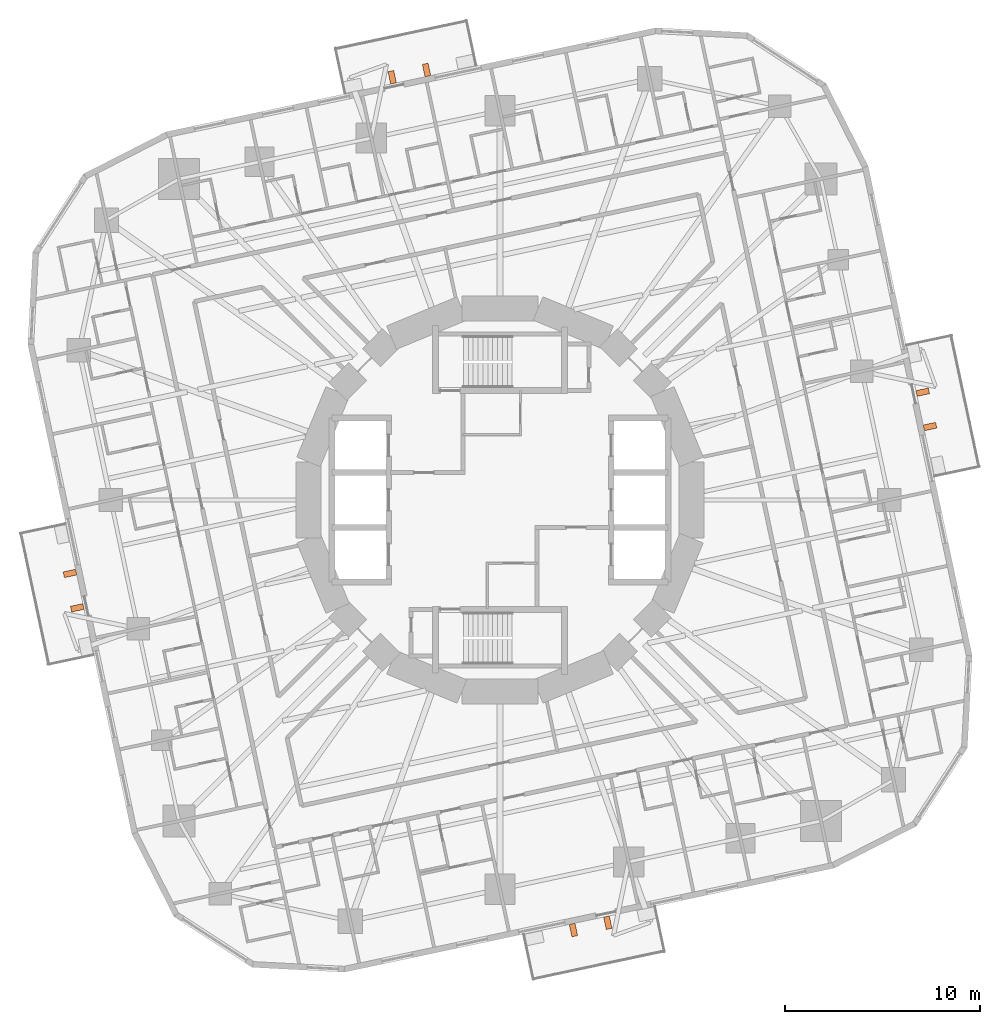
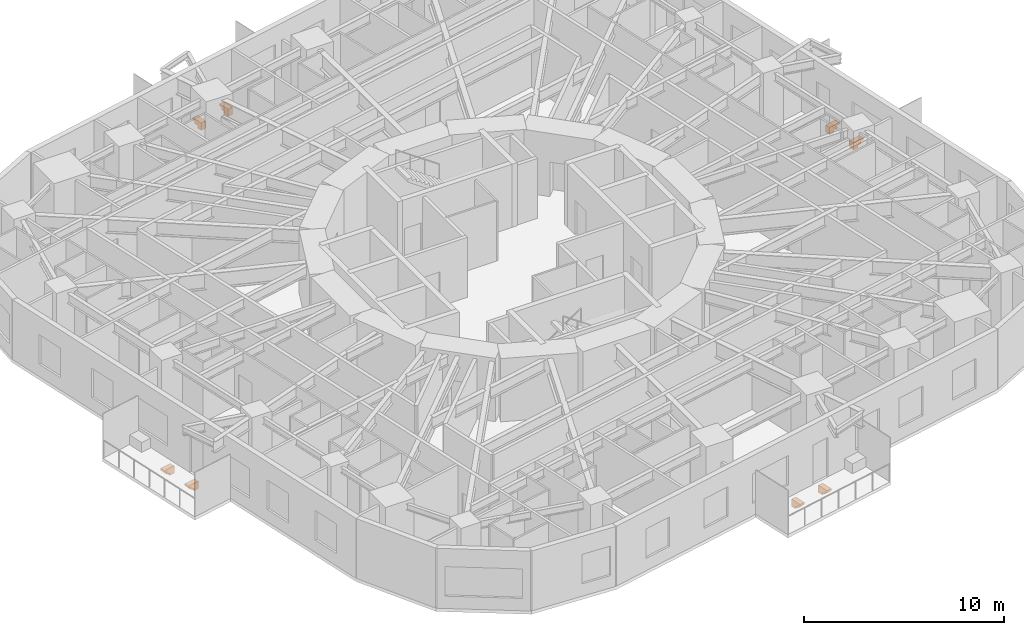
# One storey, part 14 of 14: 8 proxies.
"""IFC4 building model written with IfcOpenShell, lengths in metres."""

from ifc_helpers import new_model, si_unit, direction, frame, origin, place, context, subcontext, project, spatial, polyline, outline, extrude, material, type_object, element, save


model = new_model("IFC4")

# Units and contexts
model_context = context("Model", 3, precision=1e-05, world=origin(), true_north=direction((0.0, 1.0)))
body_context = subcontext(model_context, "Body", "Model", "MODEL_VIEW")
ifc_project = project(units=[si_unit("LENGTHUNIT", "METRE"), si_unit("AREAUNIT", "SQUARE_METRE"), si_unit("VOLUMEUNIT", "CUBIC_METRE"), si_unit("PLANEANGLEUNIT", "RADIAN"), si_unit("MASSUNIT", "GRAM", prefix="KILO")], contexts=[model_context])

# Site, building, storey
site_placement = place(None, origin())
site = spatial("IfcSite", under=ifc_project, at=site_placement, CompositionType="ELEMENT")
building_placement = place(site_placement, origin())
building = spatial("IfcBuilding", under=site, at=building_placement, Name="Nakasero Lantern House", CompositionType="ELEMENT")
storey_placement = place(building_placement, frame((0.0, 0.0, 108.85009765625)))
storey = spatial("IfcBuildingStorey", under=building, at=storey_placement, Name="L26", CompositionType="ELEMENT", Elevation=108.85009765625)

# Proxies
ifc_material = material(Name="Concrete C40/50 precast", Category="concrete")
building_element_proxy_type = type_object("IfcBuildingElementProxyType", Name="Balcony bracket 300", PredefinedType="USERDEFINED", material=ifc_material)
for number, where, z_axis, x_axis, name in (
    (1, (21.706298828125, 3.693603515625, -0.2001953125), (0.0, 0.0, 1.0), (0.978147601, 0.207911691, 0.0), "Balcony bracket L26 0A"),
    (2, (21.33203125, 5.454345703125, -0.2001953125), (0.0, 0.0, 1.0), (0.978147601, 0.207911691, 0.0), "Balcony bracket L26 0B"),
    (3, (-3.693603515625, 21.706298828125, -0.2001953125), (0.0, 0.0, 1.0), (-0.207911691, 0.978147601, 0.0), "Balcony bracket L26 1A"),
    (4, (-5.454345703125, 21.33203125, -0.2001953125), (0.0, 0.0, 1.0), (-0.207911691, 0.978147601, 0.0), "Balcony bracket L26 1B"),
    (5, (-21.706298828125, -3.693603515625, -0.2001953125), (0.0, 0.0, 1.0), (-0.978147601, -0.207911691, 0.0), "Balcony bracket L26 2A"),
    (6, (-21.33203125, -5.454345703125, -0.2001953125), (0.0, 0.0, 1.0), (-0.978147601, -0.207911691, 0.0), "Balcony bracket L26 2B"),
    (7, (3.693603515625, -21.706298828125, -0.2001953125), (0.0, 0.0, 1.0), (0.207911691, -0.978147601, 0.0), "Balcony bracket L26 3A"),
    (8, (5.454345703125, -21.33203125, -0.2001953125), (0.0, 0.0, 1.0), (0.207911691, -0.978147601, 0.0), "Balcony bracket L26 3B"),
):
    element("IfcBuildingElementProxy", number, at=place(storey_placement, frame(where, z_axis=z_axis, x_axis=x_axis)), inside=storey, type_object=building_element_proxy_type, Name=name, ObjectType="BALCONY BRACKET", PredefinedType="USERDEFINED", context=body_context, shape_type="SweptSolid", body=[
        extrude(outline(polyline([(0.0, 0.0), (0.64990234375, 0.0), (0.64990234375, -0.1201171875), (0.5, -0.1201171875), (0.5, -0.280029296875), (0.300048828125, -0.280029296875), (0.300048828125, -0.43994140625), (0.0, -0.43994140625), (0.0, 0.0)])), frame((0.0, 0.14990234375, 0.0), z_axis=(0.0, -1.0, 0.0), x_axis=(1.0, 0.0, 0.0)), (0.0, 0.0, 1.0), 0.300048828125),
    ])

save(model, "model.ifc")
